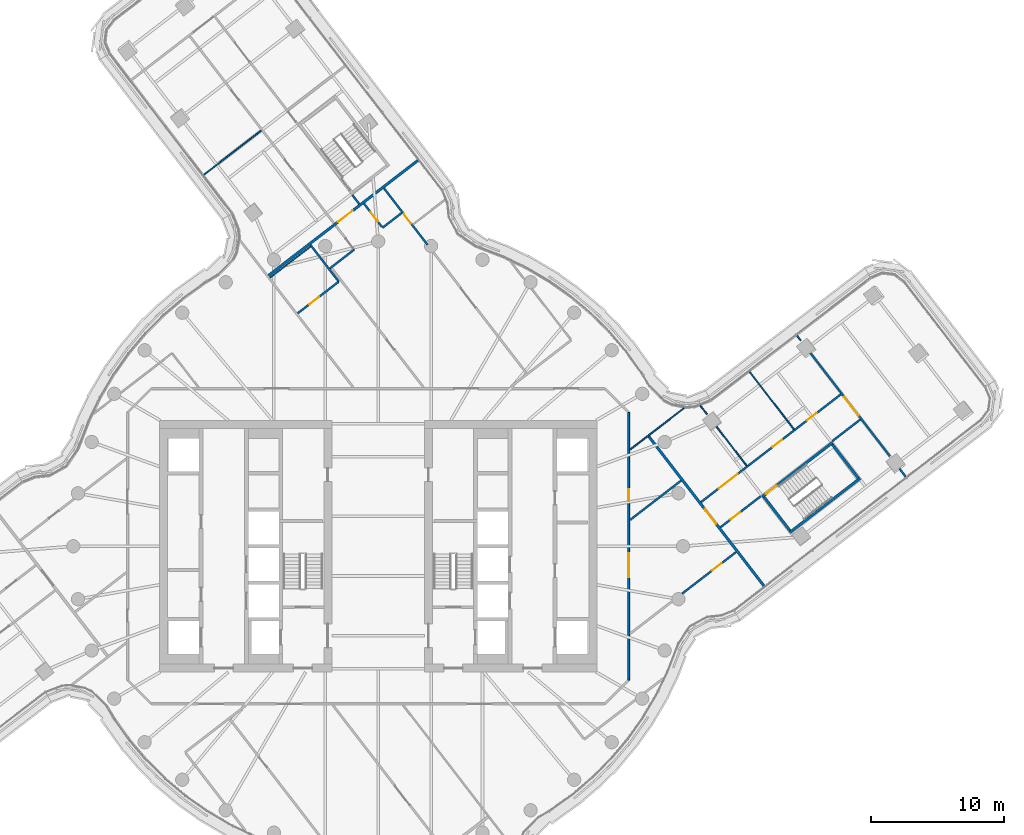
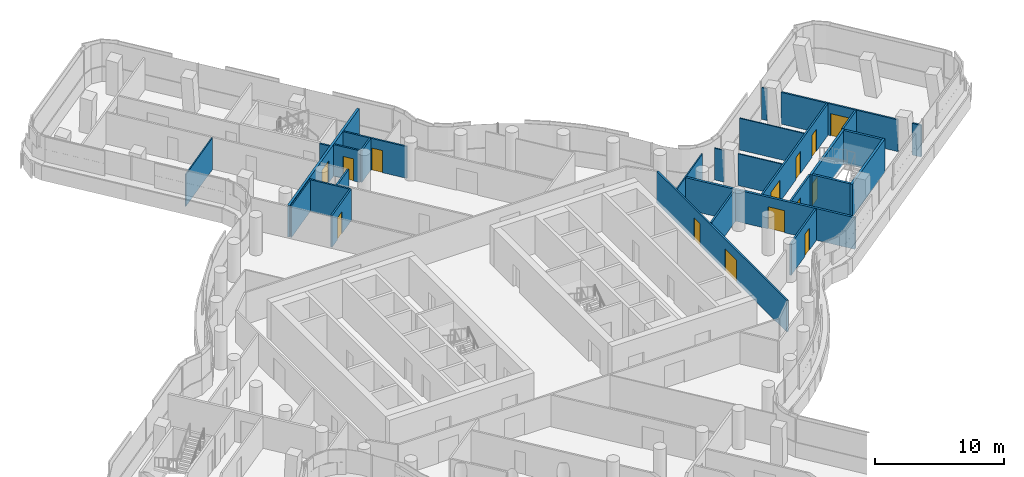
# One storey, part 23 of 33: 28 walls, 14 doors, 14 openings.
"""IFC4 building model written with IfcOpenShell, lengths in metres."""

from ifc_helpers import new_model, si_unit, direction, frame, frame_2d, origin, place, context, subcontext, project, spatial, polyline, rectangle, outline, extrude, material, layer, layer_set, type_object, element, fill, save


model = new_model("IFC4")

# Units and contexts
model_context = context("Model", 3, precision=1e-05, world=origin(), true_north=direction((0.0, 1.0)))
body_context = subcontext(model_context, "Body", "Model", "MODEL_VIEW")
ifc_project = project(units=[si_unit("LENGTHUNIT", "METRE"), si_unit("AREAUNIT", "SQUARE_METRE"), si_unit("VOLUMEUNIT", "CUBIC_METRE"), si_unit("PLANEANGLEUNIT", "RADIAN"), si_unit("MASSUNIT", "GRAM", prefix="KILO")], contexts=[model_context])

# Site, building, storey
site_placement = place(None, origin())
site = spatial("IfcSite", under=ifc_project, at=site_placement, CompositionType="ELEMENT")
building_placement = place(site_placement, origin())
building = spatial("IfcBuilding", under=site, at=building_placement, Name="Tamarind Cross Interchange Tower", CompositionType="ELEMENT")
storey_placement = place(building_placement, frame((0.0, 0.0, 170.5)))
storey = spatial("IfcBuildingStorey", under=building, at=storey_placement, Name="L42", CompositionType="ELEMENT", Elevation=170.5)

# Walls
ifc_material_1 = material(Name="Gypsum board partition on steel studs", Category="steel")
ifc_layer_1 = layer(ifc_material_1, 0.10009765625)
ifc_layer_set_1 = layer_set([ifc_layer_1], Name="Gypsum board partition on steel studs")
wall_type_1 = type_object("IfcWallType", Name="Partition 100 mm EI 90", PredefinedType="PARTITIONING", material=ifc_layer_set_1)
wall_1_placement = place(storey_placement, frame((24.311279296875, 10.599609375, 0.0), z_axis=(0.0, 0.0, 1.0), x_axis=(0.610176870423, -0.792265225036, 0.0)))
element("IfcWall", 1, at=wall_1_placement, inside=storey, type_object=wall_type_1, Name="Partition L42-030", PredefinedType="PARTITIONING", context=body_context, shape_type="SweptSolid", body=[
    extrude(rectangle(XDim=0.809814453125, YDim=0.10009765625, at=frame_2d((0.40478515625, 0.0))), origin(), (0.0, 0.0, 1.0), 3.010009765625),
])
wall_2_placement = place(storey_placement, frame((25.53076171875, 9.0166015625, 0.0), z_axis=(0.0, 0.0, 1.0), x_axis=(0.610209603324, -0.792240014144, 0.0)))
element("IfcWall", 2, at=wall_2_placement, inside=storey, type_object=wall_type_1, Name="Partition L42-031", PredefinedType="PARTITIONING", context=body_context, shape_type="SweptSolid", body=[
    extrude(rectangle(XDim=3.71240234375, YDim=0.10009765625, at=frame_2d((1.856201171875, 0.0))), origin(), (0.0, 0.0, 1.0), 3.010009765625),
])
wall_3_placement = place(storey_placement, frame((28.032470703125, 13.142333984375, 0.0), z_axis=(0.0, 0.0, 1.0), x_axis=(0.610363930314, -0.792121122412, 0.0)))
element("IfcWall", 3, at=wall_3_placement, inside=storey, type_object=wall_type_1, Name="Partition L42-032", PredefinedType="PARTITIONING", context=body_context, shape_type="SweptSolid", body=[
    extrude(rectangle(XDim=5.453369140625, YDim=0.10009765625, at=frame_2d((2.7265625, 0.0))), origin(), (0.0, 0.0, 1.0), 3.010009765625),
])
wall_4_placement = place(storey_placement, frame((31.604736328125, 15.8798828125, 0.0), z_axis=(0.0, 0.0, 1.0), x_axis=(0.610327204222, -0.792149420114, 0.0)))
element("IfcWall", 4, at=wall_4_placement, inside=storey, type_object=wall_type_1, Name="Partition L42-033", PredefinedType="PARTITIONING", context=body_context, shape_type="SweptSolid", body=[
    extrude(rectangle(XDim=0.459228515625, YDim=0.10009765625, at=frame_2d((0.2294921875, 0.0))), origin(), (0.0, 0.0, 1.0), 3.010009765625),
])
wall_5_placement = place(storey_placement, frame((-8.154296875, 20.26171875, 0.0), z_axis=(0.0, 0.0, 1.0), x_axis=(0.792123381053, 0.610360999073, 0.0)))
element("IfcWall", 5, at=wall_5_placement, inside=storey, type_object=wall_type_1, Name="Partition L42-049", PredefinedType="PARTITIONING", context=body_context, shape_type="SweptSolid", body=[
    extrude(rectangle(XDim=3.845458984375, YDim=0.10009765625, at=frame_2d((1.9228515625, 0.0))), origin(), (0.0, 0.0, 1.0), 3.010009765625),
])
wall_6_placement = place(storey_placement, frame((-13.142333984375, 28.032470703125, 0.0), z_axis=(0.0, 0.0, 1.0), x_axis=(0.792121122412, 0.610363930314, 0.0)))
element("IfcWall", 6, at=wall_6_placement, inside=storey, type_object=wall_type_1, Name="Partition L42-052", PredefinedType="PARTITIONING", context=body_context, shape_type="SweptSolid", body=[
    extrude(rectangle(XDim=5.453369140625, YDim=0.10009765625, at=frame_2d((2.7265625, 0.0))), origin(), (0.0, 0.0, 1.0), 3.010009765625),
])
wall_7_placement = place(storey_placement, frame((18.987060546875, 7.273193359375, 0.0), z_axis=(0.0, 0.0, 1.0), x_axis=(0.792196145636, 0.610266553925, 0.0)))
element("IfcWall", 7, at=wall_7_placement, inside=storey, type_object=wall_type_1, Name="Partition L42-069", PredefinedType="PARTITIONING", context=body_context, shape_type="SweptSolid", body=[
    extrude(rectangle(XDim=5.1572265625, YDim=0.10009765625, at=frame_2d((2.57861328125, 0.0))), origin(), (0.0, 0.0, 1.0), 3.010009765625),
])
ifc_layer_2 = layer(ifc_material_1, 0.14990234375)
ifc_layer_set_2 = layer_set([ifc_layer_2], Name="Gypsum board partition on steel studs")
wall_type_2 = type_object("IfcWallType", Name="Partition 150 mm EI 120", PredefinedType="PARTITIONING", material=ifc_layer_set_2)
wall_8_placement = place(storey_placement, frame((-1.954345703125, 26.502685546875, 0.0), z_axis=(0.0, 0.0, 1.0), x_axis=(0.610452149373, -0.792053137943, 0.0)))
element("IfcWall", 8, at=wall_8_placement, inside=storey, type_object=wall_type_2, Name="Partition L42-012", PredefinedType="PARTITIONING", context=body_context, shape_type="SweptSolid", body=[
    extrude(rectangle(XDim=0.859130859375, YDim=0.14990234375, at=frame_2d((0.4296875, 0.0))), origin(), (0.0, 0.0, 1.0), 3.010009765625),
])
wall_9_placement = place(storey_placement, frame((-5.10986328125, 22.73388671875, 0.0), z_axis=(0.0, 0.0, 1.0), x_axis=(0.610242883733, -0.792214379353, 0.0)))
element("IfcWall", 9, at=wall_9_placement, inside=storey, type_object=wall_type_2, Name="Partition L42-016", PredefinedType="PARTITIONING", context=body_context, shape_type="SweptSolid", body=[
    extrude(rectangle(XDim=3.480224609375, YDim=0.14990234375, at=frame_2d((1.740234375, 0.0))), origin(), (0.0, 0.0, 1.0), 3.010009765625),
])

# Wall, opening, door
wall_10_placement = place(storey_placement, frame((-1.070068359375, 25.8466796875, 0.0), z_axis=(0.0, 0.0, 1.0), x_axis=(0.610211187745, -0.792238793768, 0.0)))
wall_10 = element("IfcWall", 10, at=wall_10_placement, inside=storey, type_object=wall_type_2, Name="Partition L42-019", PredefinedType="PARTITIONING", context=body_context, shape_type="SweptSolid", body=[
    extrude(rectangle(XDim=2.2158203125, YDim=0.14990234375, at=frame_2d((1.10791015625, 0.0))), origin(), (0.0, 0.0, 1.0), 3.010009765625),
])
opening_1_placement = place(wall_10_placement, frame((0.800048828125, 0.0, 0.0)))
opening_1 = element("IfcOpeningElement", 11, at=opening_1_placement, cuts=wall_10, Name="Opening D11", PredefinedType="OPENING", context=body_context, shape_type="SweptSolid", body=[
    extrude(rectangle(XDim=0.89990234375, YDim=2.10009765625, at=frame_2d((0.449951171875, 1.050048828125))), frame((0.0, 0.0849609375, 0.0), z_axis=(0.0, -1.0, 0.0), x_axis=(1.0, 0.0, 0.0)), (0.0, 0.0, 1.0), 0.169921875),
])
ifc_material_2 = material(Name="Fire-resisting door set")
door_type_1 = type_object("IfcDoorType", Name="Interior door 900 x 2100 FD60S", OperationType="SINGLE_SWING_LEFT", PredefinedType="DOOR", material=ifc_material_2)
door_1_placement = place(opening_1_placement, origin())
door_1 = element("IfcDoor", 12, at=door_1_placement, inside=storey, type_object=door_type_1, Name="Door D11", OperationType="SINGLE_SWING_LEFT", OverallHeight=2.10009765625, OverallWidth=0.89990234375, PredefinedType="DOOR", context=body_context, shape_type="SweptSolid", body=[
    extrude(rectangle(XDim=0.89990234375, YDim=2.10009765625, at=frame_2d((0.449951171875, 1.050048828125))), frame((0.0, 0.02490234375, 0.0), z_axis=(0.0, -1.0, 0.0), x_axis=(1.0, 0.0, 0.0)), (0.0, 0.0, 1.0), 0.050048828125),
])
fill(opening_1, door_1)

wall_11_placement = place(storey_placement, frame((0.43505859375, 27.005859375, 0.0), z_axis=(0.0, 0.0, 1.0), x_axis=(0.610430350369, -0.79206993842, 0.0)))
wall_11 = element("IfcWall", 13, at=wall_11_placement, inside=storey, type_object=wall_type_2, Name="Partition L42-020", PredefinedType="PARTITIONING", context=body_context, shape_type="SweptSolid", body=[
    extrude(rectangle(XDim=5.392578125, YDim=0.14990234375, at=frame_2d((2.6962890625, 0.0))), origin(), (0.0, 0.0, 1.0), 3.010009765625),
])
opening_2_placement = place(wall_11_placement, frame((2.449951171875, 0.0, 0.0)))
opening_2 = element("IfcOpeningElement", 14, at=opening_2_placement, cuts=wall_11, Name="Opening D12", PredefinedType="OPENING", context=body_context, shape_type="SweptSolid", body=[
    extrude(rectangle(XDim=0.89990234375, YDim=2.10009765625, at=frame_2d((0.449951171875, 1.050048828125))), frame((0.0, 0.0849609375, 0.0), z_axis=(0.0, -1.0, 0.0), x_axis=(1.0, 0.0, 0.0)), (0.0, 0.0, 1.0), 0.169921875),
])
door_2_placement = place(opening_2_placement, origin())
door_2 = element("IfcDoor", 15, at=door_2_placement, inside=storey, type_object=door_type_1, Name="Door D12", OperationType="SINGLE_SWING_LEFT", OverallHeight=2.10009765625, OverallWidth=0.89990234375, PredefinedType="DOOR", context=body_context, shape_type="SweptSolid", body=[
    extrude(rectangle(XDim=0.89990234375, YDim=2.10009765625, at=frame_2d((0.449951171875, 1.050048828125))), frame((0.0, 0.02490234375, 0.0), z_axis=(0.0, -1.0, 0.0), x_axis=(1.0, 0.0, 0.0)), (0.0, 0.0, 1.0), 0.050048828125),
])
fill(opening_2, door_2)

wall_12_placement = place(storey_placement, frame((32.610107421875, 14.57470703125, 0.0), z_axis=(0.0, 0.0, 1.0), x_axis=(0.610288290275, -0.792179400611, 0.0)))
wall_12 = element("IfcWall", 16, at=wall_12_placement, inside=storey, type_object=wall_type_2, Name="Partition L42-034", PredefinedType="PARTITIONING", context=body_context, shape_type="SweptSolid", body=[
    extrude(rectangle(XDim=9.82373046875, YDim=0.14990234375, at=frame_2d((4.911865234375, 0.0))), origin(), (0.0, 0.0, 1.0), 3.010009765625),
])
opening_3_placement = place(wall_12_placement, frame((4.170166015625, 0.0, 0.0)))
opening_3 = element("IfcOpeningElement", 17, at=opening_3_placement, cuts=wall_12, Name="Opening D17", PredefinedType="OPENING", context=body_context, shape_type="SweptSolid", body=[
    extrude(rectangle(XDim=1.800048828125, YDim=2.10009765625, at=frame_2d((0.89990234375, 1.050048828125))), frame((0.0, 0.0849609375, 0.0), z_axis=(0.0, -1.0, 0.0), x_axis=(1.0, 0.0, 0.0)), (0.0, 0.0, 1.0), 0.169921875),
])
door_type_2 = type_object("IfcDoorType", Name="Interior door 1800 x 2100 FD60S", OperationType="DOUBLE_DOOR_SINGLE_SWING", PredefinedType="DOOR", material=ifc_material_2)
door_3_placement = place(opening_3_placement, origin())
door_3 = element("IfcDoor", 18, at=door_3_placement, inside=storey, type_object=door_type_2, Name="Door D17", OperationType="DOUBLE_DOOR_SINGLE_SWING", OverallHeight=2.10009765625, OverallWidth=1.800048828125, PredefinedType="DOOR", context=body_context, shape_type="SweptSolid", body=[
    extrude(rectangle(XDim=1.800048828125, YDim=2.10009765625, at=frame_2d((0.89990234375, 1.050048828125))), frame((0.0, 0.02490234375, 0.0), z_axis=(0.0, -1.0, 0.0), x_axis=(1.0, 0.0, 0.0)), (0.0, 0.0, 1.0), 0.050048828125),
])
fill(opening_3, door_3)

# Wall
wall_13_placement = place(storey_placement, frame((39.33056640625, 5.85107421875, 0.0), z_axis=(0.0, 0.0, 1.0), x_axis=(0.610427747159, -0.792071944648, 0.0)))
element("IfcWall", 19, at=wall_13_placement, inside=storey, type_object=wall_type_2, Name="Partition L42-035", PredefinedType="PARTITIONING", context=body_context, shape_type="SweptSolid", body=[
    extrude(rectangle(XDim=0.756591796875, YDim=0.14990234375, at=frame_2d((0.37841796875, 0.0))), origin(), (0.0, 0.0, 1.0), 3.010009765625),
])

# Wall, opening, door
wall_14_placement = place(storey_placement, frame((-6.07861328125, 17.56884765625, 0.0), z_axis=(0.0, 0.0, 1.0), x_axis=(0.792128155669, 0.610354802551, 0.0)))
wall_14 = element("IfcWall", 20, at=wall_14_placement, inside=storey, type_object=wall_type_2, Name="Partition L42-054", PredefinedType="PARTITIONING", context=body_context, shape_type="SweptSolid", body=[
    extrude(rectangle(XDim=3.919189453125, YDim=0.14990234375, at=frame_2d((1.95947265625, 0.0))), origin(), (0.0, 0.0, 1.0), 3.010009765625),
])
opening_4_placement = place(wall_14_placement, frame((1.1201171875, 0.0, 0.0)))
opening_4 = element("IfcOpeningElement", 21, at=opening_4_placement, cuts=wall_14, Name="Opening D30", PredefinedType="OPENING", context=body_context, shape_type="SweptSolid", body=[
    extrude(rectangle(XDim=0.89990234375, YDim=2.10009765625, at=frame_2d((0.449951171875, 1.050048828125))), frame((0.0, 0.0849609375, 0.0), z_axis=(0.0, -1.0, 0.0), x_axis=(1.0, 0.0, 0.0)), (0.0, 0.0, 1.0), 0.169921875),
])
door_4_placement = place(opening_4_placement, origin())
door_4 = element("IfcDoor", 22, at=door_4_placement, inside=storey, type_object=door_type_1, Name="Door D30", OperationType="SINGLE_SWING_RIGHT", OverallHeight=2.10009765625, OverallWidth=0.89990234375, PredefinedType="DOOR", context=body_context, shape_type="SweptSolid", body=[
    extrude(rectangle(XDim=0.89990234375, YDim=2.10009765625, at=frame_2d((0.449951171875, 1.050048828125))), frame((0.0, 0.02490234375, 0.0), z_axis=(0.0, -1.0, 0.0), x_axis=(1.0, 0.0, 0.0)), (0.0, 0.0, 1.0), 0.050048828125),
])
fill(opening_4, door_4)

# Walls
wall_15_placement = place(storey_placement, frame((-3.642578125, 20.9609375, 0.0), z_axis=(0.0, 0.0, 1.0), x_axis=(0.791472426808, 0.611204873674, 0.0)))
element("IfcWall", 23, at=wall_15_placement, inside=storey, type_object=wall_type_2, Name="Partition L42-057", PredefinedType="PARTITIONING", context=body_context, shape_type="SweptSolid", body=[
    extrude(rectangle(XDim=2.320068359375, YDim=0.14990234375, at=frame_2d((1.16015625, 0.0))), origin(), (0.0, 0.0, 1.0), 3.010009765625),
])
wall_16_placement = place(storey_placement, frame((0.330322265625, 24.02880859375, 0.0), z_axis=(0.0, 0.0, 1.0), x_axis=(0.791535680407, 0.611122955421, 0.0)))
element("IfcWall", 24, at=wall_16_placement, inside=storey, type_object=wall_type_2, Name="Partition L42-058", PredefinedType="PARTITIONING", context=body_context, shape_type="SweptSolid", body=[
    extrude(rectangle(XDim=1.820068359375, YDim=0.14990234375, at=frame_2d((0.91015625, 0.0))), origin(), (0.0, 0.0, 1.0), 3.010009765625),
])

# Wall, opening, door
wall_17_placement = place(storey_placement, frame((22.929443359375, -3.576171875, 0.0), z_axis=(0.0, 0.0, 1.0), x_axis=(0.792113813916, 0.610373415052, 0.0)))
wall_17 = element("IfcWall", 25, at=wall_17_placement, inside=storey, type_object=wall_type_2, Name="Partition L42-067", PredefinedType="PARTITIONING", context=body_context, shape_type="SweptSolid", body=[
    extrude(rectangle(XDim=5.126220703125, YDim=0.14990234375, at=frame_2d((2.56298828125, 0.0))), origin(), (0.0, 0.0, 1.0), 3.010009765625),
])
opening_5_placement = place(wall_17_placement, frame((2.85009765625, 0.0, 0.0)))
opening_5 = element("IfcOpeningElement", 26, at=opening_5_placement, cuts=wall_17, Name="Opening D34", PredefinedType="OPENING", context=body_context, shape_type="SweptSolid", body=[
    extrude(rectangle(XDim=0.89990234375, YDim=2.10009765625, at=frame_2d((0.449951171875, 1.050048828125))), frame((0.0, 0.0849609375, 0.0), z_axis=(0.0, -1.0, 0.0), x_axis=(1.0, 0.0, 0.0)), (0.0, 0.0, 1.0), 0.169921875),
])
door_5_placement = place(opening_5_placement, frame((0.89990234375, 0.0, 0.0), z_axis=(0.0, 0.0, 1.0), x_axis=(-1.0, 0.0, 0.0)))
door_5 = element("IfcDoor", 27, at=door_5_placement, inside=storey, type_object=door_type_1, Name="Door D34", OperationType="SINGLE_SWING_RIGHT", OverallHeight=2.10009765625, OverallWidth=0.89990234375, PredefinedType="DOOR", context=body_context, shape_type="SweptSolid", body=[
    extrude(rectangle(XDim=0.89990234375, YDim=2.10009765625, at=frame_2d((0.449951171875, 1.050048828125))), frame((0.0, 0.02490234375, 0.0), z_axis=(0.0, -1.0, 0.0), x_axis=(1.0, 0.0, 0.0)), (0.0, 0.0, 1.0), 0.050048828125),
])
fill(opening_5, door_5)

# Wall
wall_18_placement = place(storey_placement, frame((19.0029296875, 1.9833984375, 0.0), z_axis=(0.0, 0.0, 1.0), x_axis=(0.792144175523, 0.610334011165, 0.0)))
element("IfcWall", 28, at=wall_18_placement, inside=storey, type_object=wall_type_2, Name="Partition L42-068", PredefinedType="PARTITIONING", context=body_context, shape_type="SweptSolid", body=[
    extrude(rectangle(XDim=4.86376953125, YDim=0.14990234375, at=frame_2d((2.431884765625, 0.0))), origin(), (0.0, 0.0, 1.0), 3.010009765625),
])

# Wall, openings, doors
wall_19_placement = place(storey_placement, frame((24.357177734375, 3.3310546875, 0.0), z_axis=(0.0, 0.0, 1.0), x_axis=(0.792166560138, 0.610304957378, 0.0)))
wall_19 = element("IfcWall", 29, at=wall_19_placement, inside=storey, type_object=wall_type_2, Name="Partition L42-070", PredefinedType="PARTITIONING", context=body_context, shape_type="SweptSolid", body=[
    extrude(rectangle(XDim=13.31982421875, YDim=0.14990234375, at=frame_2d((6.659912109375, 0.0))), origin(), (0.0, 0.0, 1.0), 3.010009765625),
])
opening_6_placement = place(wall_19_placement, frame((6.79931640625, 0.0, 0.0)))
opening_6 = element("IfcOpeningElement", 30, at=opening_6_placement, cuts=wall_19, Name="Opening D35", PredefinedType="OPENING", context=body_context, shape_type="SweptSolid", body=[
    extrude(rectangle(XDim=0.89990234375, YDim=2.10009765625, at=frame_2d((0.449951171875, 1.050048828125))), frame((0.0, 0.0849609375, 0.0), z_axis=(0.0, -1.0, 0.0), x_axis=(1.0, 0.0, 0.0)), (0.0, 0.0, 1.0), 0.169921875),
])
opening_7_placement = place(wall_19_placement, frame((10.099853515625, 0.0, 0.0)))
opening_7 = element("IfcOpeningElement", 31, at=opening_7_placement, cuts=wall_19, Name="Opening D36", PredefinedType="OPENING", context=body_context, shape_type="SweptSolid", body=[
    extrude(rectangle(XDim=0.89990234375, YDim=2.10009765625, at=frame_2d((0.449951171875, 1.050048828125))), frame((0.0, 0.0849609375, 0.0), z_axis=(0.0, -1.0, 0.0), x_axis=(1.0, 0.0, 0.0)), (0.0, 0.0, 1.0), 0.169921875),
])
opening_8_placement = place(wall_19_placement, frame((1.699951171875, 0.0, 0.0)))
opening_8 = element("IfcOpeningElement", 32, at=opening_8_placement, cuts=wall_19, Name="Opening D37", PredefinedType="OPENING", context=body_context, shape_type="SweptSolid", body=[
    extrude(rectangle(XDim=1.800048828125, YDim=2.10009765625, at=frame_2d((0.89990234375, 1.050048828125))), frame((0.0, 0.0849609375, 0.0), z_axis=(0.0, -1.0, 0.0), x_axis=(1.0, 0.0, 0.0)), (0.0, 0.0, 1.0), 0.169921875),
])
door_6_placement = place(opening_8_placement, origin())
door_6 = element("IfcDoor", 33, at=door_6_placement, inside=storey, type_object=door_type_2, Name="Door D37", OperationType="DOUBLE_DOOR_SINGLE_SWING", OverallHeight=2.10009765625, OverallWidth=1.800048828125, PredefinedType="DOOR", context=body_context, shape_type="SweptSolid", body=[
    extrude(rectangle(XDim=1.800048828125, YDim=2.10009765625, at=frame_2d((0.89990234375, 1.050048828125))), frame((0.0, 0.02490234375, 0.0), z_axis=(0.0, -1.0, 0.0), x_axis=(1.0, 0.0, 0.0)), (0.0, 0.0, 1.0), 0.050048828125),
])
fill(opening_8, door_6)
door_7_placement = place(opening_6_placement, origin())
door_7 = element("IfcDoor", 34, at=door_7_placement, inside=storey, type_object=door_type_1, Name="Door D35", OperationType="SINGLE_SWING_LEFT", OverallHeight=2.10009765625, OverallWidth=0.89990234375, PredefinedType="DOOR", context=body_context, shape_type="SweptSolid", body=[
    extrude(rectangle(XDim=0.89990234375, YDim=2.10009765625, at=frame_2d((0.449951171875, 1.050048828125))), frame((0.0, 0.02490234375, 0.0), z_axis=(0.0, -1.0, 0.0), x_axis=(1.0, 0.0, 0.0)), (0.0, 0.0, 1.0), 0.050048828125),
])
fill(opening_6, door_7)
door_8_placement = place(opening_7_placement, origin())
door_8 = element("IfcDoor", 35, at=door_8_placement, inside=storey, type_object=door_type_1, Name="Door D36", OperationType="SINGLE_SWING_LEFT", OverallHeight=2.10009765625, OverallWidth=0.89990234375, PredefinedType="DOOR", context=body_context, shape_type="SweptSolid", body=[
    extrude(rectangle(XDim=0.89990234375, YDim=2.10009765625, at=frame_2d((0.449951171875, 1.050048828125))), frame((0.0, 0.02490234375, 0.0), z_axis=(0.0, -1.0, 0.0), x_axis=(1.0, 0.0, 0.0)), (0.0, 0.0, 1.0), 0.050048828125),
])
fill(opening_7, door_8)

# Wall, opening, door
wall_20_placement = place(storey_placement, frame((25.822265625, 1.429931640625, 0.0), z_axis=(0.0, 0.0, 1.0), x_axis=(0.792113416719, 0.610373930516, 0.0)))
wall_20 = element("IfcWall", 36, at=wall_20_placement, inside=storey, type_object=wall_type_2, Name="Partition L42-071", PredefinedType="PARTITIONING", context=body_context, shape_type="SweptSolid", body=[
    extrude(rectangle(XDim=3.859375, YDim=0.14990234375, at=frame_2d((1.9296875, 0.0))), origin(), (0.0, 0.0, 1.0), 3.010009765625),
])
opening_9_placement = place(wall_20_placement, frame((0.949951171875, 0.0, 0.0)))
opening_9 = element("IfcOpeningElement", 37, at=opening_9_placement, cuts=wall_20, Name="Opening D38", PredefinedType="OPENING", context=body_context, shape_type="SweptSolid", body=[
    extrude(rectangle(XDim=0.89990234375, YDim=2.10009765625, at=frame_2d((0.449951171875, 1.050048828125))), frame((0.0, 0.0849609375, 0.0), z_axis=(0.0, -1.0, 0.0), x_axis=(1.0, 0.0, 0.0)), (0.0, 0.0, 1.0), 0.169921875),
])
door_9_placement = place(opening_9_placement, frame((0.89990234375, 0.0, 0.0), z_axis=(0.0, 0.0, 1.0), x_axis=(-1.0, 0.0, 0.0)))
door_9 = element("IfcDoor", 38, at=door_9_placement, inside=storey, type_object=door_type_1, Name="Door D38", OperationType="SINGLE_SWING_LEFT", OverallHeight=2.10009765625, OverallWidth=0.89990234375, PredefinedType="DOOR", context=body_context, shape_type="SweptSolid", body=[
    extrude(rectangle(XDim=0.89990234375, YDim=2.10009765625, at=frame_2d((0.449951171875, 1.050048828125))), frame((0.0, 0.02490234375, 0.0), z_axis=(0.0, -1.0, 0.0), x_axis=(1.0, 0.0, 0.0)), (0.0, 0.0, 1.0), 0.050048828125),
])
fill(opening_9, door_9)

# Wall
wall_21_placement = place(storey_placement, frame((34.25048828125, 7.923583984375, 0.0), z_axis=(0.0, 0.0, 1.0), x_axis=(0.792149656576, 0.610326897316, 0.0)))
element("IfcWall", 39, at=wall_21_placement, inside=storey, type_object=wall_type_2, Name="Partition L42-072", PredefinedType="PARTITIONING", context=body_context, shape_type="SweptSolid", body=[
    extrude(rectangle(XDim=2.68017578125, YDim=0.14990234375, at=frame_2d((1.340087890625, 0.0))), origin(), (0.0, 0.0, 1.0), 3.010009765625),
])

# Wall, openings, doors
wall_22_placement = place(storey_placement, frame((18.89990234375, -10.10009765625, 0.0), z_axis=(0.0, 0.0, 1.0), x_axis=(0.0, 1.0, 0.0)))
wall_22 = element("IfcWall", 40, at=wall_22_placement, inside=storey, type_object=wall_type_2, Name="Partition L42-076", PredefinedType="PARTITIONING", context=body_context, shape_type="SweptSolid", body=[
    extrude(rectangle(XDim=20.2001953125, YDim=0.14990234375, at=frame_2d((10.10009765625, 0.0))), origin(), (0.0, 0.0, 1.0), 3.010009765625),
])
opening_10_placement = place(wall_22_placement, frame((7.76904296875, 0.0, 0.0)))
opening_10 = element("IfcOpeningElement", 41, at=opening_10_placement, cuts=wall_22, Name="Opening D41", PredefinedType="OPENING", context=body_context, shape_type="SweptSolid", body=[
    extrude(rectangle(XDim=1.800048828125, YDim=2.10009765625, at=frame_2d((0.89990234375, 1.050048828125))), frame((0.0, 0.0849609375, 0.0), z_axis=(0.0, -1.0, 0.0), x_axis=(1.0, 0.0, 0.0)), (0.0, 0.0, 1.0), 0.169921875),
])
opening_11_placement = place(wall_22_placement, frame((13.50390625, 0.0, 0.0)))
opening_11 = element("IfcOpeningElement", 42, at=opening_11_placement, cuts=wall_22, Name="Opening D42", PredefinedType="OPENING", context=body_context, shape_type="SweptSolid", body=[
    extrude(rectangle(XDim=0.89990234375, YDim=2.10009765625, at=frame_2d((0.449951171875, 1.050048828125))), frame((0.0, 0.0849609375, 0.0), z_axis=(0.0, -1.0, 0.0), x_axis=(1.0, 0.0, 0.0)), (0.0, 0.0, 1.0), 0.169921875),
])
door_10_placement = place(opening_10_placement, origin())
door_10 = element("IfcDoor", 43, at=door_10_placement, inside=storey, type_object=door_type_2, Name="Door D41", OperationType="DOUBLE_DOOR_SINGLE_SWING", OverallHeight=2.10009765625, OverallWidth=1.800048828125, PredefinedType="DOOR", context=body_context, shape_type="SweptSolid", body=[
    extrude(rectangle(XDim=1.800048828125, YDim=2.10009765625, at=frame_2d((0.89990234375, 1.050048828125))), frame((0.0, 0.02490234375, 0.0), z_axis=(0.0, -1.0, 0.0), x_axis=(1.0, 0.0, 0.0)), (0.0, 0.0, 1.0), 0.050048828125),
])
fill(opening_10, door_10)
door_11_placement = place(opening_11_placement, frame((0.89990234375, 0.0, 0.0), z_axis=(0.0, 0.0, 1.0), x_axis=(-1.0, 0.0, 0.0)))
door_11 = element("IfcDoor", 44, at=door_11_placement, inside=storey, type_object=door_type_1, Name="Door D42", OperationType="SINGLE_SWING_RIGHT", OverallHeight=2.10009765625, OverallWidth=0.89990234375, PredefinedType="DOOR", context=body_context, shape_type="SweptSolid", body=[
    extrude(rectangle(XDim=0.89990234375, YDim=2.10009765625, at=frame_2d((0.449951171875, 1.050048828125))), frame((0.0, 0.02490234375, 0.0), z_axis=(0.0, -1.0, 0.0), x_axis=(1.0, 0.0, 0.0)), (0.0, 0.0, 1.0), 0.050048828125),
])
fill(opening_11, door_11)

# Wall, opening, door
ifc_layer_3 = layer(ifc_material_1, 0.199951171875)
ifc_layer_set_3 = layer_set([ifc_layer_3], Name="Gypsum board partition on steel studs")
wall_type_3 = type_object("IfcWallType", Name="Partition 200 mm EI 180", PredefinedType="PARTITIONING", material=ifc_layer_set_3)
wall_23_placement = place(storey_placement, frame((20.40869140625, 8.29248046875, 0.0), z_axis=(0.0, 0.0, 1.0), x_axis=(0.610264945107, -0.792197384983, 0.0)))
wall_23 = element("IfcWall", 45, at=wall_23_placement, inside=storey, type_object=wall_type_3, Name="Partition L42-029", PredefinedType="PARTITIONING", context=body_context, shape_type="SweptSolid", body=[
    extrude(rectangle(XDim=14.2392578125, YDim=0.199951171875, at=frame_2d((7.11962890625, 0.0))), origin(), (0.0, 0.0, 1.0), 3.010009765625),
])
opening_12_placement = place(wall_23_placement, frame((6.940185546875, 0.0, 0.0)))
opening_12 = element("IfcOpeningElement", 46, at=opening_12_placement, cuts=wall_23, Name="Opening D16", PredefinedType="OPENING", context=body_context, shape_type="SweptSolid", body=[
    extrude(rectangle(XDim=1.39990234375, YDim=2.10009765625, at=frame_2d((0.699951171875, 1.050048828125))), frame((0.0, 0.10986328125, 0.0), z_axis=(0.0, -1.0, 0.0), x_axis=(1.0, 0.0, 0.0)), (0.0, 0.0, 1.0), 0.219970703125),
])
door_type_3 = type_object("IfcDoorType", Name="Interior door 1400 x 2100 FD120S", OperationType="DOUBLE_DOOR_SINGLE_SWING", PredefinedType="DOOR", material=ifc_material_2)
door_12_placement = place(opening_12_placement, frame((1.39990234375, 0.0, 0.0), z_axis=(0.0, 0.0, 1.0), x_axis=(-1.0, 0.0, 0.0)))
door_12 = element("IfcDoor", 47, at=door_12_placement, inside=storey, type_object=door_type_3, Name="Door D16", OperationType="DOUBLE_DOOR_SINGLE_SWING", OverallHeight=2.10009765625, OverallWidth=1.39990234375, PredefinedType="DOOR", context=body_context, shape_type="SweptSolid", body=[
    extrude(rectangle(XDim=1.39990234375, YDim=2.10009765625, at=frame_2d((0.699951171875, 1.050048828125))), frame((0.0, 0.02490234375, 0.0), z_axis=(0.0, -1.0, 0.0), x_axis=(1.0, 0.0, 0.0)), (0.0, 0.0, 1.0), 0.050048828125),
])
fill(opening_12, door_12)

wall_24_placement = place(storey_placement, frame((-8.276123046875, 20.420166015625, 0.0), z_axis=(0.0, 0.0, 1.0), x_axis=(0.792091999987, 0.610401723095, 0.0)))
wall_24 = element("IfcWall", 48, at=wall_24_placement, inside=storey, type_object=wall_type_3, Name="Partition L42-056", PredefinedType="PARTITIONING", context=body_context, shape_type="SweptSolid", body=[
    extrude(rectangle(XDim=14.21923828125, YDim=0.199951171875, at=frame_2d((7.109619140625, 0.0))), origin(), (0.0, 0.0, 1.0), 3.010009765625),
])
opening_13_placement = place(wall_24_placement, frame((6.6201171875, 0.0, 0.0)))
opening_13 = element("IfcOpeningElement", 49, at=opening_13_placement, cuts=wall_24, Name="Opening D31", PredefinedType="OPENING", context=body_context, shape_type="SweptSolid", body=[
    extrude(rectangle(XDim=1.39990234375, YDim=2.10009765625, at=frame_2d((0.699951171875, 1.050048828125))), frame((0.0, 0.10986328125, 0.0), z_axis=(0.0, -1.0, 0.0), x_axis=(1.0, 0.0, 0.0)), (0.0, 0.0, 1.0), 0.219970703125),
])
door_13_placement = place(opening_13_placement, frame((1.39990234375, 0.0, 0.0), z_axis=(0.0, 0.0, 1.0), x_axis=(-1.0, 0.0, 0.0)))
door_13 = element("IfcDoor", 50, at=door_13_placement, inside=storey, type_object=door_type_3, Name="Door D31", OperationType="DOUBLE_DOOR_SINGLE_SWING", OverallHeight=2.10009765625, OverallWidth=1.39990234375, PredefinedType="DOOR", context=body_context, shape_type="SweptSolid", body=[
    extrude(rectangle(XDim=1.39990234375, YDim=2.10009765625, at=frame_2d((0.699951171875, 1.050048828125))), frame((0.0, 0.02490234375, 0.0), z_axis=(0.0, -1.0, 0.0), x_axis=(1.0, 0.0, 0.0)), (0.0, 0.0, 1.0), 0.050048828125),
])
fill(opening_13, door_13)

ifc_material_3 = material(Name="Concrete C40", Category="concrete")
ifc_layer_4 = layer(ifc_material_3, 0.199951171875)
ifc_layer_set_4 = layer_set([ifc_layer_4], Name="Concrete C40")
wall_type_4 = type_object("IfcWallType", Name="Stair shaft wall 200 mm Concrete C40", PredefinedType="SHEAR", material=ifc_layer_set_4)
wall_25_placement = place(storey_placement, frame((28.97216796875, 3.730712890625, -0.139892578125), z_axis=(0.0, 0.0, 1.0), x_axis=(0.792153700274, 0.610321648921, 0.0)))
wall_25 = element("IfcWall", 51, at=wall_25_placement, inside=storey, type_object=wall_type_4, Name="Core wall CWL-L42-ST3-H", PredefinedType="SHEAR", context=body_context, shape_type="SweptSolid", body=[
    extrude(rectangle(XDim=6.699951171875, YDim=0.199951171875, at=frame_2d((3.35009765625, 0.0))), origin(), (0.0, 0.0, 1.0), 3.14990234375),
])
opening_14_placement = place(wall_25_placement, frame((0.35009765625, 0.0, 0.0)))
opening_14 = element("IfcOpeningElement", 52, at=opening_14_placement, cuts=wall_25, Name="Opening ST3L42", PredefinedType="OPENING", context=body_context, shape_type="SweptSolid", body=[
    extrude(rectangle(XDim=1.0, YDim=2.10009765625, at=frame_2d((0.5, 1.050048828125))), frame((0.0, 0.10986328125, 0.0), z_axis=(0.0, -1.0, 0.0), x_axis=(1.0, 0.0, 0.0)), (0.0, 0.0, 1.0), 0.219970703125),
])
ifc_material_4 = material(Name="Steel, fire-resisting", Category="steel")
door_type_4 = type_object("IfcDoorType", Name="Core fire door 1000 x 2100 FD90", OperationType="SINGLE_SWING_LEFT", PredefinedType="DOOR", material=ifc_material_4)
door_14_placement = place(opening_14_placement, origin())
door_14 = element("IfcDoor", 53, at=door_14_placement, inside=storey, type_object=door_type_4, Name="L42 stair door ST3", OperationType="SINGLE_SWING_LEFT", OverallHeight=2.10009765625, OverallWidth=1.0, PredefinedType="DOOR", context=body_context, shape_type="SweptSolid", body=[
    extrude(rectangle(XDim=1.0, YDim=2.10009765625, at=frame_2d((0.5, 1.050048828125))), frame((0.0, 0.02490234375, 0.0), z_axis=(0.0, -1.0, 0.0), x_axis=(1.0, 0.0, 0.0)), (0.0, 0.0, 1.0), 0.050048828125),
])
fill(opening_14, door_14)

# Walls
wall_26_placement = place(storey_placement, frame((31.04736328125, 1.037353515625, -0.139892578125), z_axis=(0.0, 0.0, 1.0), x_axis=(0.792136083086, 0.610344514085, 0.0)))
element("IfcWall", 54, at=wall_26_placement, inside=storey, type_object=wall_type_4, Name="Core wall CWL-L42-ST3-C", PredefinedType="SHEAR", context=body_context, shape_type="SweptSolid", body=[
    extrude(rectangle(XDim=6.7001953125, YDim=0.199951171875, at=frame_2d((3.35009765625, 0.0))), origin(), (0.0, 0.0, 1.0), 3.14990234375),
])
wall_27_placement = place(storey_placement, frame((31.0654296875, 1.177490234375, -0.139892578125), z_axis=(0.0, 0.0, 1.0), x_axis=(-0.610289481398, 0.792178482979, 0.0)))
element("IfcWall", 55, at=wall_27_placement, inside=storey, type_object=wall_type_4, Name="Core wall CWL-L42-ST3-CE", PredefinedType="SHEAR", context=body_context, shape_type="SweptSolid", body=[
    extrude(rectangle(XDim=3.199951171875, YDim=0.199951171875, at=frame_2d((1.60009765625, 0.0))), origin(), (0.0, 0.0, 1.0), 3.14990234375),
])
wall_28_placement = place(storey_placement, frame((0.0, 0.0, -0.139892578125)))
element("IfcWall", 56, at=wall_28_placement, inside=storey, type_object=wall_type_4, Name="Core wall CWL-L42-ST3-CF", PredefinedType="SHEAR", context=body_context, shape_type="SweptSolid", body=[
    extrude(outline(polyline([(36.13525390625, 5.083740234375), (36.293701171875, 5.205810546875), (34.3408203125, 7.74072265625), (34.18212890625, 7.61865234375), (36.13525390625, 5.083740234375)])), origin(), (0.0, 0.0, 1.0), 3.14990234375),
])

save(model, "model.ifc")
